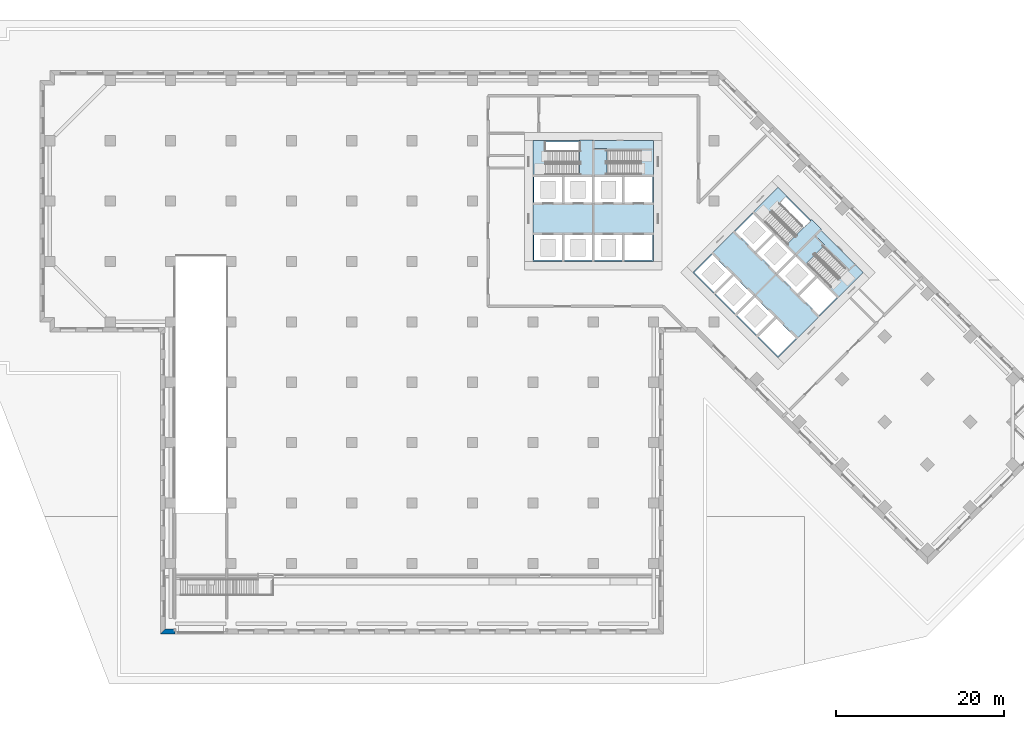
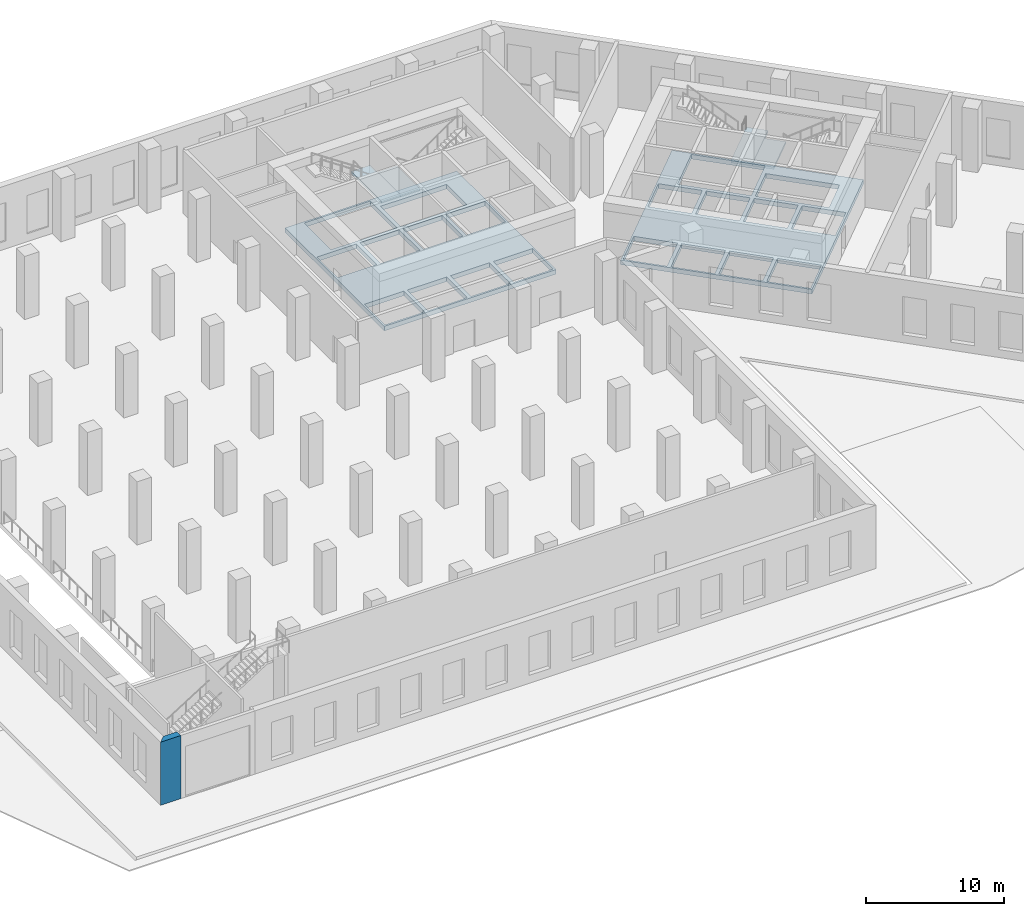
# One storey, part 2 of 15: 6 slabs, 1 wall, 20 openings, 4 elements without a shape of their own.
"""IFC4 building model written with IfcOpenShell, lengths in metres."""

import ifcopenshell
import ifcopenshell.guid

model = None  # the IFC model being written
_history = None  # IfcOwnerHistory: only IFC2X3 demands one
_inside = {}  # id of a spatial element -> (the spatial element, [elements in it])
_under = {}  # id of a project, library or spatial element -> (it, [spatial elements below it])
_declared = {}  # id of a project -> (the project, [libraries it declares])
_typed = {}  # id of a type object -> (the type object, [elements of that type])
_made_of = {}  # id of a material, layer set ... -> (it, [elements and type objects made of it])


def new_model(schema):
    """Start an empty IFC model of exactly this schema.

    Asked for "IFC4X3", IfcOpenShell would pick the latest addendum, in which some entities
    have other attributes; the version numbers below select the first issue.
    IFC2X3 requires an IfcOwnerHistory on every rooted entity: one is made here for all.
    """
    global model, _history
    if schema == "IFC4X3":
        model = ifcopenshell.file(schema_version=(4, 3, 0, 0))
    else:
        model = ifcopenshell.file(schema=schema)
    _inside.clear()
    _under.clear()
    _declared.clear()
    _typed.clear()
    _made_of.clear()
    _history = None
    if model.schema == "IFC2X3":
        org = make("IfcOrganization", Name="unknown")
        user = make(
            "IfcPersonAndOrganization",
            ThePerson=make("IfcPerson", FamilyName="unknown"),
            TheOrganization=org,
        )
        app = make(
            "IfcApplication",
            ApplicationDeveloper=org,
            Version="unknown",
            ApplicationFullName="unknown",
            ApplicationIdentifier="unknown",
        )
        _history = make(
            "IfcOwnerHistory",
            OwningUser=user,
            OwningApplication=app,
            ChangeAction="ADDED",
            CreationDate=0,
        )
    return model


def make(cls, **values):
    """One entity of the class cls with the attributes given. An attribute that is None is left unset."""
    return model.create_entity(
        cls, **{name: value for name, value in values.items() if value is not None}
    )


def rooted(cls, **values):
    """An entity with a GlobalId (a new one), such as an element, a storey or a relation."""
    return make(cls, GlobalId=ifcopenshell.guid.new(), OwnerHistory=_history, **values)


def si_unit(unit_type, name, prefix=None):
    """IfcSIUnit, for example si_unit("LENGTHUNIT", "METRE", prefix="MILLI")."""
    return make("IfcSIUnit", UnitType=unit_type, Prefix=prefix, Name=name)


def assignment(units):
    """IfcUnitAssignment: the units of a project."""
    return None if units is None else make("IfcUnitAssignment", Units=units)


def point(xyz):
    """IfcCartesianPoint."""
    return None if xyz is None else make("IfcCartesianPoint", Coordinates=xyz)


def direction(xyz):
    """IfcDirection."""
    return None if xyz is None else make("IfcDirection", DirectionRatios=xyz)


def frame(location, z_axis=None, x_axis=None):
    """IfcAxis2Placement3D, a coordinate frame: its origin and axes. An axis left out is left unset."""
    return make(
        "IfcAxis2Placement3D",
        Location=point(location),
        Axis=direction(z_axis),
        RefDirection=direction(x_axis),
    )


def origin():
    """The frame at (0, 0, 0) with its axes left unset."""
    return frame((0.0, 0.0, 0.0))


def place(relative_to, where):
    """IfcLocalPlacement: puts the frame where relative to a parent placement (None: the world)."""
    return make(
        "IfcLocalPlacement", PlacementRelTo=relative_to, RelativePlacement=where
    )


def context(
    kind, dimensions, precision=None, world=None, true_north=None, identifier=None
):
    """IfcGeometricRepresentationContext, for example the 3D "Model" context."""
    return make(
        "IfcGeometricRepresentationContext",
        ContextIdentifier=identifier,
        ContextType=kind,
        CoordinateSpaceDimension=dimensions,
        Precision=precision,
        WorldCoordinateSystem=world,
        TrueNorth=true_north,
    )


def subcontext(parent, identifier, kind, view, scale=None):
    """IfcGeometricRepresentationSubContext, for example "Body" below "Model"."""
    return make(
        "IfcGeometricRepresentationSubContext",
        ContextIdentifier=identifier,
        ContextType=kind,
        ParentContext=parent,
        TargetScale=scale,
        TargetView=view,
    )


def project(units=None, contexts=None):
    """IfcProject with its units and contexts."""
    return rooted(
        "IfcProject",
        Name="project",
        RepresentationContexts=contexts,
        UnitsInContext=assignment(units),
    )


def spatial(cls, under=None, at=None, **own):
    """A site, building, storey or space (cls), placed at a placement, below another one or the project."""
    s = rooted(cls, ObjectPlacement=at, **own)
    if under is not None:
        _under.setdefault(under.id(), (under, []))[1].append(s)
    return s


def polyline(points):
    """IfcPolyline through the points."""
    return make("IfcPolyline", Points=[point(p) for p in points])


def outline(outer, holes=None, kind="AREA"):
    """IfcArbitraryClosedProfileDef: a profile drawn as a closed curve; with holes, ...WithVoids."""
    if holes is None:
        return make("IfcArbitraryClosedProfileDef", ProfileType=kind, OuterCurve=outer)
    return make(
        "IfcArbitraryProfileDefWithVoids",
        ProfileType=kind,
        OuterCurve=outer,
        InnerCurves=holes,
    )


def extrude(swept, where, along, depth):
    """IfcExtrudedAreaSolid: the profile swept, set in the frame where, extruded along a direction by depth."""
    return make(
        "IfcExtrudedAreaSolid",
        SweptArea=swept,
        Position=where,
        ExtrudedDirection=direction(along),
        Depth=depth,
    )


def shape(context_of_items, identifier, shape_type, items):
    """IfcShapeRepresentation: the items that make up one representation, for example the "Body"."""
    return make(
        "IfcShapeRepresentation",
        ContextOfItems=context_of_items,
        RepresentationIdentifier=identifier,
        RepresentationType=shape_type,
        Items=items,
    )


def material(Name=None, Category=None):
    """IfcMaterial."""
    return make("IfcMaterial", Name=Name, Category=Category)


def layer(
    of_material, thickness, ventilated=None, Name=None, Category=None, Priority=None
):
    """IfcMaterialLayer: one layer of a wall or slab, of a material (None: an air gap)."""
    return make(
        "IfcMaterialLayer",
        Material=of_material,
        LayerThickness=thickness,
        IsVentilated=ventilated,
        Name=Name,
        Category=Category,
        Priority=Priority,
    )


def layer_set(layers, Name=None):
    """IfcMaterialLayerSet."""
    return make("IfcMaterialLayerSet", MaterialLayers=layers, LayerSetName=Name)


def made_of(thing, what):
    """Note that an element or type object is made of a material, layer set ...; save() writes the relation."""
    if what is not None:
        _made_of.setdefault(what.id(), (what, []))[1].append(thing)
    return thing


def type_object(cls, material=None, **own):
    """A type object (cls), such as IfcWallType, which elements share."""
    return made_of(rooted(cls, **own), material)


def element(
    cls,
    number,
    at=None,
    inside=None,
    cuts=None,
    type_object=None,
    material=None,
    context=None,
    identifier="Body",
    shape_type=None,
    held_by="IfcProductDefinitionShape",
    body=None,
    shapes=None,
    **own,
):
    """One element of the class cls, such as IfcWall. Its Tag is "e" and its number.

    at: its placement. inside: the storey or other place that contains it. cuts: it is an
    opening in that element (IfcRelVoidsElement). A single representation is given by context,
    identifier, shape_type and body (its items); several are given by shapes. held_by: the class
    of the entity that holds the representations. save() writes the other relations.
    """
    e = rooted(cls, Tag="e%d" % number, ObjectPlacement=at, **own)
    if body is not None:
        shapes = [shape(context, identifier, shape_type, body)]
    if shapes is not None:
        e.Representation = make(held_by, Representations=shapes)
    if inside is not None:
        _inside.setdefault(inside.id(), (inside, []))[1].append(e)
    if cuts is not None:
        rooted(
            "IfcRelVoidsElement", RelatingBuildingElement=cuts, RelatedOpeningElement=e
        )
    if type_object is not None:
        _typed.setdefault(type_object.id(), (type_object, []))[1].append(e)
    return made_of(e, material)


def aggregate(whole, parts):
    """IfcRelAggregates: a whole, such as a stair, and the parts it consists of."""
    return rooted("IfcRelAggregates", RelatingObject=whole, RelatedObjects=parts)


def save(model, path):
    """Write the relations noted so far, then the file.

    IfcRelAggregates (storeys below a building ...), IfcRelContainedInSpatialStructure (elements
    in a storey), IfcRelDefinesByType, IfcRelAssociatesMaterial and IfcRelDeclares: one each for
    every whole, place, type object, material and project.
    """
    for whole, parts in _under.values():
        aggregate(whole, parts)
    for where, things in _inside.values():
        rooted(
            "IfcRelContainedInSpatialStructure",
            RelatedElements=things,
            RelatingStructure=where,
        )
    for kind, things in _typed.values():
        rooted("IfcRelDefinesByType", RelatedObjects=things, RelatingType=kind)
    for what, things in _made_of.values():
        rooted("IfcRelAssociatesMaterial", RelatedObjects=things, RelatingMaterial=what)
    for by, libraries in _declared.values():
        rooted("IfcRelDeclares", RelatingContext=by, RelatedDefinitions=libraries)
    model.write(path)


model = new_model("IFC4")

# Units and contexts
model_context = context("Model", 3, precision=1e-05, world=origin(), true_north=direction((0.0, 1.0)))
body_context = subcontext(model_context, "Body", "Model", "MODEL_VIEW")
ifc_project = project(units=[si_unit("LENGTHUNIT", "METRE"), si_unit("AREAUNIT", "SQUARE_METRE"), si_unit("VOLUMEUNIT", "CUBIC_METRE"), si_unit("PLANEANGLEUNIT", "RADIAN"), si_unit("MASSUNIT", "GRAM", prefix="KILO")], contexts=[model_context])

# Site, building, storey
site_placement = place(None, origin())
site = spatial("IfcSite", under=ifc_project, at=site_placement, CompositionType="ELEMENT")
building_placement = place(site_placement, origin())
building = spatial("IfcBuilding", under=site, at=building_placement, Name="Windrow Commons", CompositionType="ELEMENT")
storey_placement = place(building_placement, origin())
storey = spatial("IfcBuildingStorey", under=building, at=storey_placement, Name="L00", CompositionType="ELEMENT", Elevation=0.0)

# Slab, openings
ifc_material_1 = material(Name="Concrete C60/75", Category="concrete")
ifc_layer_1 = layer(ifc_material_1, 0.4)
ifc_layer_set_1 = layer_set([ifc_layer_1], Name="CORE FLOOR SLAB 400 C60/75")
slab_type_1 = type_object("IfcSlabType", Name="CORE FLOOR SLAB 400 C60/75", PredefinedType="FLOOR", material=ifc_layer_set_1)
placement_1 = place(storey_placement, frame((0.0, 0.0, -0.4)))
slab_1 = element("IfcSlab", 1, at=placement_1, inside=storey, type_object=slab_type_1, Name="S-L00-core-A", PredefinedType="FLOOR", context=body_context, shape_type="SweptSolid", body=[
    extrude(outline(polyline([(57.6, 50.4), (72.0, 50.4), (72.0, 64.8), (57.6, 64.8), (57.6, 50.4)]), holes=[polyline([(57.75, 50.55), (61.05, 50.55), (61.05, 53.55), (57.75, 53.55), (57.75, 50.55)]), polyline([(61.35, 50.55), (64.65, 50.55), (64.65, 53.55), (61.35, 53.55), (61.35, 50.55)]), polyline([(64.95, 50.55), (68.25, 50.55), (68.25, 53.55), (64.95, 53.55), (64.95, 50.55)]), polyline([(68.55, 50.55), (71.85, 50.55), (71.85, 53.55), (68.55, 53.55), (68.55, 50.55)]), polyline([(57.75, 57.45), (61.05, 57.45), (61.05, 60.45), (57.75, 60.45), (57.75, 57.45)]), polyline([(61.35, 57.45), (64.65, 57.45), (64.65, 60.45), (61.35, 60.45), (61.35, 57.45)]), polyline([(64.95, 57.45), (68.25, 57.45), (68.25, 60.45), (64.95, 60.45), (64.95, 57.45)]), polyline([(68.55, 57.45), (71.85, 57.45), (71.85, 60.45), (68.55, 60.45), (68.55, 57.45)]), polyline([(59.1, 60.75), (64.65, 60.75), (64.65, 64.65), (59.1, 64.65), (59.1, 60.75)]), polyline([(64.95, 60.75), (70.5, 60.75), (70.5, 63.705), (64.95, 63.705), (64.95, 60.75)])]), origin(), (0.0, 0.0, 1.0), 0.4),
])
opening_1_placement = place(placement_1, origin())
element("IfcOpeningElement", 2, at=opening_1_placement, cuts=slab_1, Name="Slab opening S-L00-core-A 1", PredefinedType="OPENING", context=body_context, shape_type="SweptSolid", body=[
    extrude(outline(polyline([(57.755, 50.555), (57.755, 53.545), (61.045, 53.545), (61.045, 50.555), (57.755, 50.555)])), origin(), (0.0, 0.0, 1.0), 0.4),
])
opening_2_placement = place(placement_1, origin())
element("IfcOpeningElement", 3, at=opening_2_placement, cuts=slab_1, Name="Slab opening S-L00-core-A 2", PredefinedType="OPENING", context=body_context, shape_type="SweptSolid", body=[
    extrude(outline(polyline([(61.355, 50.555), (61.355, 53.545), (64.645, 53.545), (64.645, 50.555), (61.355, 50.555)])), origin(), (0.0, 0.0, 1.0), 0.4),
])
opening_3_placement = place(placement_1, origin())
element("IfcOpeningElement", 4, at=opening_3_placement, cuts=slab_1, Name="Slab opening S-L00-core-A 3", PredefinedType="OPENING", context=body_context, shape_type="SweptSolid", body=[
    extrude(outline(polyline([(64.955, 50.555), (64.955, 53.545), (68.245, 53.545), (68.245, 50.555), (64.955, 50.555)])), origin(), (0.0, 0.0, 1.0), 0.4),
])
opening_4_placement = place(placement_1, origin())
element("IfcOpeningElement", 5, at=opening_4_placement, cuts=slab_1, Name="Slab opening S-L00-core-A 4", PredefinedType="OPENING", context=body_context, shape_type="SweptSolid", body=[
    extrude(outline(polyline([(68.555, 50.555), (68.555, 53.545), (71.845, 53.545), (71.845, 50.555), (68.555, 50.555)])), origin(), (0.0, 0.0, 1.0), 0.4),
])
opening_5_placement = place(placement_1, origin())
element("IfcOpeningElement", 6, at=opening_5_placement, cuts=slab_1, Name="Slab opening S-L00-core-A 5", PredefinedType="OPENING", context=body_context, shape_type="SweptSolid", body=[
    extrude(outline(polyline([(57.755, 57.455), (57.755, 60.445), (61.045, 60.445), (61.045, 57.455), (57.755, 57.455)])), origin(), (0.0, 0.0, 1.0), 0.4),
])
opening_6_placement = place(placement_1, origin())
element("IfcOpeningElement", 7, at=opening_6_placement, cuts=slab_1, Name="Slab opening S-L00-core-A 6", PredefinedType="OPENING", context=body_context, shape_type="SweptSolid", body=[
    extrude(outline(polyline([(61.355, 57.455), (61.355, 60.445), (64.645, 60.445), (64.645, 57.455), (61.355, 57.455)])), origin(), (0.0, 0.0, 1.0), 0.4),
])
opening_7_placement = place(placement_1, origin())
element("IfcOpeningElement", 8, at=opening_7_placement, cuts=slab_1, Name="Slab opening S-L00-core-A 7", PredefinedType="OPENING", context=body_context, shape_type="SweptSolid", body=[
    extrude(outline(polyline([(64.955, 57.455), (64.955, 60.445), (68.245, 60.445), (68.245, 57.455), (64.955, 57.455)])), origin(), (0.0, 0.0, 1.0), 0.4),
])
opening_8_placement = place(placement_1, origin())
element("IfcOpeningElement", 9, at=opening_8_placement, cuts=slab_1, Name="Slab opening S-L00-core-A 8", PredefinedType="OPENING", context=body_context, shape_type="SweptSolid", body=[
    extrude(outline(polyline([(68.555, 57.455), (68.555, 60.445), (71.845, 60.445), (71.845, 57.455), (68.555, 57.455)])), origin(), (0.0, 0.0, 1.0), 0.4),
])
opening_9_placement = place(placement_1, origin())
element("IfcOpeningElement", 10, at=opening_9_placement, cuts=slab_1, Name="Slab opening S-L00-core-A 9", PredefinedType="OPENING", context=body_context, shape_type="SweptSolid", body=[
    extrude(outline(polyline([(59.105, 60.755), (59.105, 64.645), (64.645, 64.645), (64.645, 60.755), (59.105, 60.755)])), origin(), (0.0, 0.0, 1.0), 0.4),
])
opening_10_placement = place(placement_1, origin())
element("IfcOpeningElement", 11, at=opening_10_placement, cuts=slab_1, Name="Slab opening S-L00-core-A 10", PredefinedType="OPENING", context=body_context, shape_type="SweptSolid", body=[
    extrude(outline(polyline([(64.955, 60.755), (64.955, 63.7), (70.495, 63.7), (70.495, 60.755), (64.955, 60.755)])), origin(), (0.0, 0.0, 1.0), 0.4),
])

slab_2 = element("IfcSlab", 12, at=placement_1, inside=storey, type_object=slab_type_1, Name="S-L00-core-B", PredefinedType="FLOOR", context=body_context, shape_type="SweptSolid", body=[
    extrude(outline(polyline([(76.6544, 49.0897), (86.8368, 38.9074), (97.0191, 49.0897), (86.8368, 59.2721), (76.6544, 49.0897)]), holes=[polyline([(76.8665, 49.0897), (79.2, 46.7563), (81.3213, 48.8776), (78.9879, 51.2111), (76.8665, 49.0897)]), polyline([(79.4121, 46.5442), (81.7456, 44.2107), (83.8669, 46.332), (81.5335, 48.6655), (79.4121, 46.5442)]), polyline([(81.9577, 43.9986), (84.2912, 41.6651), (86.4125, 43.7864), (84.079, 46.1199), (81.9577, 43.9986)]), polyline([(84.5033, 41.453), (86.8368, 39.1195), (88.9581, 41.2409), (86.6246, 43.5743), (84.5033, 41.453)]), polyline([(81.7456, 53.9688), (84.079, 51.6353), (86.2004, 53.7566), (83.8669, 56.0901), (81.7456, 53.9688)]), polyline([(84.2912, 51.4232), (86.6246, 49.0897), (88.7459, 51.2111), (86.4125, 53.5445), (84.2912, 51.4232)]), polyline([(86.8368, 48.8776), (89.1702, 46.5442), (91.2915, 48.6655), (88.9581, 50.9989), (86.8368, 48.8776)]), polyline([(89.3823, 46.332), (91.7158, 43.9986), (93.8371, 46.1199), (91.5037, 48.4533), (89.3823, 46.332)]), polyline([(85.0336, 55.3476), (88.9581, 51.4232), (91.7158, 54.1809), (87.7913, 58.1054), (85.0336, 55.3476)]), polyline([(89.1702, 51.2111), (93.0946, 47.2866), (95.1841, 49.3761), (91.2597, 53.3006), (89.1702, 51.2111)])]), origin(), (0.0, 0.0, 1.0), 0.4),
])
opening_11_placement = place(placement_1, origin())
element("IfcOpeningElement", 13, at=opening_11_placement, cuts=slab_2, Name="Slab opening S-L00-core-B 1", PredefinedType="OPENING", context=body_context, shape_type="SweptSolid", body=[
    extrude(outline(polyline([(76.8736, 49.0897), (78.9879, 51.204), (81.3142, 48.8776), (79.2, 46.7634), (76.8736, 49.0897)])), origin(), (0.0, 0.0, 1.0), 0.4),
])
opening_12_placement = place(placement_1, origin())
element("IfcOpeningElement", 14, at=opening_12_placement, cuts=slab_2, Name="Slab opening S-L00-core-B 2", PredefinedType="OPENING", context=body_context, shape_type="SweptSolid", body=[
    extrude(outline(polyline([(79.4192, 46.5442), (81.5335, 48.6584), (83.8598, 46.332), (81.7456, 44.2178), (79.4192, 46.5442)])), origin(), (0.0, 0.0, 1.0), 0.4),
])
opening_13_placement = place(placement_1, origin())
element("IfcOpeningElement", 15, at=opening_13_placement, cuts=slab_2, Name="Slab opening S-L00-core-B 3", PredefinedType="OPENING", context=body_context, shape_type="SweptSolid", body=[
    extrude(outline(polyline([(81.9648, 43.9986), (84.079, 46.1128), (86.4054, 43.7864), (84.2912, 41.6722), (81.9648, 43.9986)])), origin(), (0.0, 0.0, 1.0), 0.4),
])
opening_14_placement = place(placement_1, origin())
element("IfcOpeningElement", 16, at=opening_14_placement, cuts=slab_2, Name="Slab opening S-L00-core-B 4", PredefinedType="OPENING", context=body_context, shape_type="SweptSolid", body=[
    extrude(outline(polyline([(84.5104, 41.453), (86.6246, 43.5672), (88.951, 41.2409), (86.8368, 39.1266), (84.5104, 41.453)])), origin(), (0.0, 0.0, 1.0), 0.4),
])
opening_15_placement = place(placement_1, origin())
element("IfcOpeningElement", 17, at=opening_15_placement, cuts=slab_2, Name="Slab opening S-L00-core-B 5", PredefinedType="OPENING", context=body_context, shape_type="SweptSolid", body=[
    extrude(outline(polyline([(81.7527, 53.9688), (83.8669, 56.083), (86.1933, 53.7566), (84.079, 51.6424), (81.7527, 53.9688)])), origin(), (0.0, 0.0, 1.0), 0.4),
])
opening_16_placement = place(placement_1, origin())
element("IfcOpeningElement", 18, at=opening_16_placement, cuts=slab_2, Name="Slab opening S-L00-core-B 6", PredefinedType="OPENING", context=body_context, shape_type="SweptSolid", body=[
    extrude(outline(polyline([(84.2983, 51.4232), (86.4125, 53.5374), (88.7388, 51.2111), (86.6246, 49.0968), (84.2983, 51.4232)])), origin(), (0.0, 0.0, 1.0), 0.4),
])
opening_17_placement = place(placement_1, origin())
element("IfcOpeningElement", 19, at=opening_17_placement, cuts=slab_2, Name="Slab opening S-L00-core-B 7", PredefinedType="OPENING", context=body_context, shape_type="SweptSolid", body=[
    extrude(outline(polyline([(86.8439, 48.8776), (88.9581, 50.9918), (91.2844, 48.6655), (89.1702, 46.5513), (86.8439, 48.8776)])), origin(), (0.0, 0.0, 1.0), 0.4),
])
opening_18_placement = place(placement_1, origin())
element("IfcOpeningElement", 20, at=opening_18_placement, cuts=slab_2, Name="Slab opening S-L00-core-B 8", PredefinedType="OPENING", context=body_context, shape_type="SweptSolid", body=[
    extrude(outline(polyline([(89.3894, 46.332), (91.5037, 48.4462), (93.83, 46.1199), (91.7158, 44.0057), (89.3894, 46.332)])), origin(), (0.0, 0.0, 1.0), 0.4),
])
opening_19_placement = place(placement_1, origin())
element("IfcOpeningElement", 21, at=opening_19_placement, cuts=slab_2, Name="Slab opening S-L00-core-B 9", PredefinedType="OPENING", context=body_context, shape_type="SweptSolid", body=[
    extrude(outline(polyline([(85.0407, 55.3476), (87.7913, 58.0983), (91.7087, 54.1809), (88.9581, 51.4303), (85.0407, 55.3476)])), origin(), (0.0, 0.0, 1.0), 0.4),
])
opening_20_placement = place(placement_1, origin())
element("IfcOpeningElement", 22, at=opening_20_placement, cuts=slab_2, Name="Slab opening S-L00-core-B 10", PredefinedType="OPENING", context=body_context, shape_type="SweptSolid", body=[
    extrude(outline(polyline([(89.1773, 51.2111), (91.2597, 53.2935), (95.177, 49.3761), (93.0946, 47.2937), (89.1773, 51.2111)])), origin(), (0.0, 0.0, 1.0), 0.4),
])

# Stair, slab
ifc_material_2 = material(Name="Concrete C40/50", Category="concrete")
stair_type = type_object("IfcStairType", Name="Core stair", PredefinedType="HALF_TURN_STAIR", material=ifc_material_2)
placement_2 = place(storey_placement, origin())
stair_1 = element("IfcStair", 23, at=placement_2, inside=storey, type_object=stair_type, Name="L00 Exit stair A1 core A", PredefinedType="HALF_TURN_STAIR")
ifc_material_3 = material(Name="Concrete C40/50", Category="concrete")
ifc_layer_2 = layer(ifc_material_3, 0.2)
ifc_layer_set_2 = layer_set([ifc_layer_2], Name="Core stair landing")
slab_type_2 = type_object("IfcSlabType", Name="Core stair landing", PredefinedType="LANDING", material=ifc_layer_set_2)
placement_3 = place(storey_placement, frame((0.0, 0.0, 2.8)))
slab_3 = element("IfcSlab", 24, at=placement_3, type_object=slab_type_2, Name="ST-A1 landing 1", PredefinedType="LANDING", context=body_context, shape_type="SweptSolid", body=[
    extrude(outline(polyline([(63.18, 60.5), (64.8, 60.5), (64.8, 64.9), (63.18, 64.9), (63.18, 60.5)])), origin(), (0.0, 0.0, 1.0), 0.2),
])
aggregate(stair_1, [slab_3])

stair_2 = element("IfcStair", 25, at=placement_2, inside=storey, type_object=stair_type, Name="L00 Exit stair A2 core A", PredefinedType="HALF_TURN_STAIR")
slab_4 = element("IfcSlab", 26, at=placement_3, type_object=slab_type_2, Name="ST-A2 landing 1", PredefinedType="LANDING", context=body_context, shape_type="SweptSolid", body=[
    extrude(outline(polyline([(64.8, 60.5), (66.42, 60.5), (66.42, 63.855), (64.8, 63.855), (64.8, 60.5)])), origin(), (0.0, 0.0, 1.0), 0.2),
])
aggregate(stair_2, [slab_4])

stair_3 = element("IfcStair", 27, at=placement_2, inside=storey, type_object=stair_type, Name="L00 Exit stair B1 core B", PredefinedType="HALF_TURN_STAIR")
slab_5 = element("IfcSlab", 28, at=placement_3, type_object=slab_type_2, Name="ST-B1 landing 1", PredefinedType="LANDING", context=body_context, shape_type="SweptSolid", body=[
    extrude(outline(polyline([(87.7419, 52.2859), (88.8874, 51.1403), (91.9986, 54.2516), (90.8531, 55.3971), (87.7419, 52.2859)])), origin(), (0.0, 0.0, 1.0), 0.2),
])
aggregate(stair_3, [slab_5])

stair_4 = element("IfcStair", 29, at=placement_2, inside=storey, type_object=stair_type, Name="L00 Exit stair B2 core B", PredefinedType="HALF_TURN_STAIR")
slab_6 = element("IfcSlab", 30, at=placement_3, type_object=slab_type_2, Name="ST-B2 landing 1", PredefinedType="LANDING", context=body_context, shape_type="SweptSolid", body=[
    extrude(outline(polyline([(88.8874, 51.1403), (90.0329, 49.9948), (92.4052, 52.3671), (91.2597, 53.5127), (88.8874, 51.1403)])), origin(), (0.0, 0.0, 1.0), 0.2),
])
aggregate(stair_4, [slab_6])

# Wall
ifc_material_4 = material(Name="Brick masonry, red clay brick", Category="masonry")
ifc_layer_3 = layer(ifc_material_4, 0.55)
ifc_layer_set_3 = layer_set([ifc_layer_3], Name="Brick facade wall 550")
wall_type = type_object("IfcWallType", Name="Brick facade wall 550", PredefinedType="SOLIDWALL", material=ifc_layer_set_3)
wall_placement = place(storey_placement, frame((13.475, 6.275, 0.0), z_axis=(0.0, 0.0, 1.0), x_axis=(1.0, 0.0, 0.0)))
element("IfcWall", 31, at=wall_placement, inside=storey, type_object=wall_type, Name="Brick facade wall L00 13", PredefinedType="SOLIDWALL", context=body_context, shape_type="SweptSolid", body=[
    extrude(outline(polyline([(-0.275, -0.275), (1.425, -0.275), (1.425, 0.275), (0.275, 0.275), (-0.275, -0.275)])), origin(), (0.0, 0.0, 1.0), 5.6),
])

save(model, "model.ifc")
